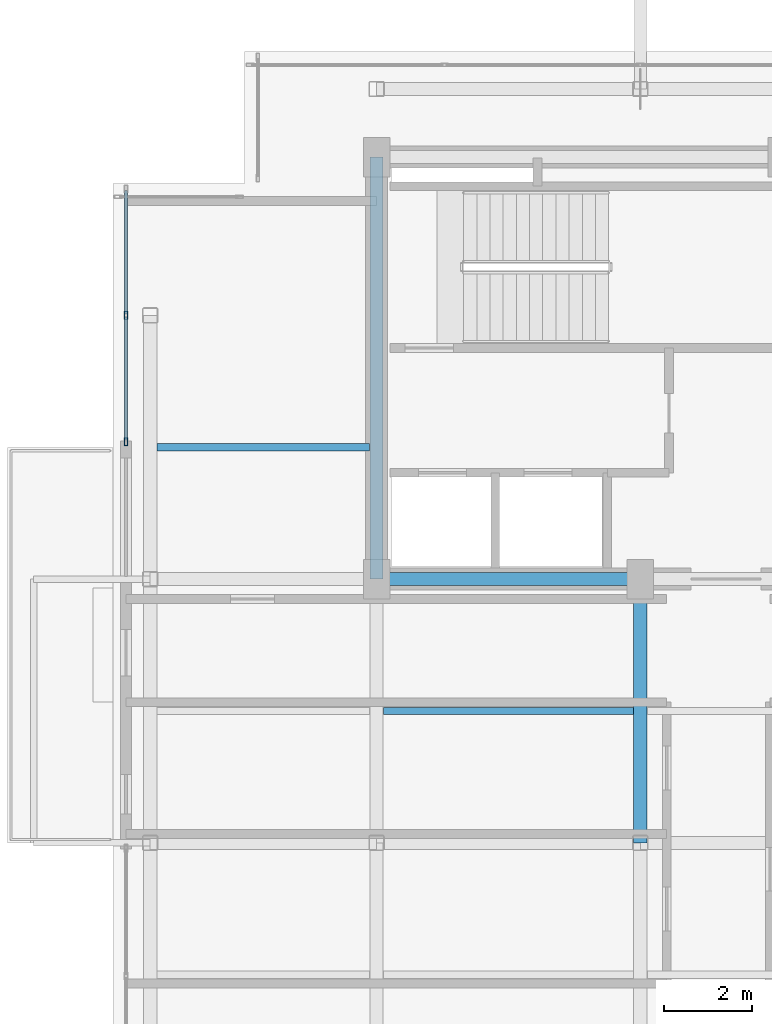
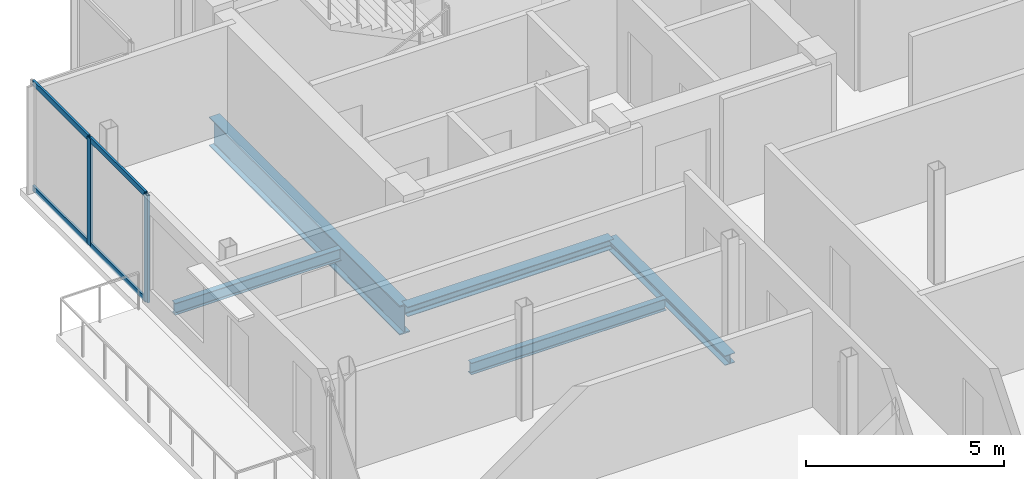
# One storey, part 7 of 18: 6 members, 5 beams, 1 element without a shape of its own.
"""IFC4 building model written with IfcOpenShell, lengths in metres."""

from ifc_helpers import new_model, si_unit, direction, frame, origin, origin_2d, place, context, subcontext, project, spatial, hollow_rectangle, i_section, extrude, material, layer, layer_set, material_profile, profile_set, type_object, element, aggregate, save


model = new_model("IFC4")

# Units and contexts
model_context = context("Model", 3, precision=1e-05, world=origin(), true_north=direction((0.0, 1.0)))
body_context = subcontext(model_context, "Body", "Model", "MODEL_VIEW")
ifc_project = project(units=[si_unit("LENGTHUNIT", "METRE"), si_unit("AREAUNIT", "SQUARE_METRE"), si_unit("VOLUMEUNIT", "CUBIC_METRE"), si_unit("PLANEANGLEUNIT", "RADIAN"), si_unit("MASSUNIT", "GRAM", prefix="KILO"), si_unit("THERMODYNAMICTEMPERATUREUNIT", "KELVIN"), si_unit("POWERUNIT", "WATT")], contexts=[model_context])

# Site, building, storey
site_placement = place(None, origin())
site = spatial("IfcSite", under=ifc_project, at=site_placement, CompositionType="ELEMENT")
building_placement = place(site_placement, origin())
building = spatial("IfcBuilding", under=site, at=building_placement, Name="Svarakhadi Broadcast Tower", CompositionType="ELEMENT")
storey_placement = place(building_placement, frame((0.0, 0.0, 281.699951171875)))
storey = spatial("IfcBuildingStorey", under=building, at=storey_placement, Name="L71", CompositionType="ELEMENT", Elevation=281.699951171875)

# Beams
ifc_material_1 = material(Name="Steel S355J2 (IS 2062 E350C)", Category="steel")
ifc_material_profile_1 = material_profile(ifc_material_1, i_section(OverallWidth=0.169921875, OverallDepth=0.360107421875, WebThickness=0.008056640625, FlangeThickness=0.0126953125, FilletRadius=0.01806640625, at=origin_2d()), Name="NPB 360x170x57")
ifc_profile_set_1 = profile_set([ifc_material_profile_1], Name="Steel S355J2 (IS 2062 E350C)")
beam_type_1 = type_object("IfcBeamType", Name="Beam_NPB360", PredefinedType="BEAM", material=ifc_profile_set_1)
beam_1_placement = place(storey_placement, frame((1.010009765625, 21.0, -0.3798828125), z_axis=(1.0, 0.0, 0.0), x_axis=(0.0, 1.0, 0.0)))
element("IfcBeam", 1, at=beam_1_placement, inside=storey, type_object=beam_type_1, Name="L71 Secondary Composite Beam SB003", PredefinedType="BEAM", context=body_context, shape_type="SweptSolid", body=[
    extrude(i_section(OverallWidth=0.169921875, OverallDepth=0.360107421875, WebThickness=0.008056640625, FlangeThickness=0.0126953125, FilletRadius=0.01806640625, at=origin_2d()), origin(), (0.0, 0.0, 1.0), 4.830078125),
])
beam_2_placement = place(storey_placement, frame((6.159912109375, 15.0, -0.3798828125), z_axis=(1.0, 0.0, 0.0), x_axis=(0.0, 1.0, 0.0)))
element("IfcBeam", 2, at=beam_2_placement, inside=storey, type_object=beam_type_1, Name="L71 Secondary Composite Beam SB006", PredefinedType="BEAM", context=body_context, shape_type="SweptSolid", body=[
    extrude(i_section(OverallWidth=0.169921875, OverallDepth=0.360107421875, WebThickness=0.008056640625, FlangeThickness=0.0126953125, FilletRadius=0.01806640625, at=origin_2d()), origin(), (0.0, 0.0, 1.0), 5.68017578125),
])

# Curtain wall, members
ifc_material_2 = material(Name="Anodised Bronze Aluminium AA 6063-T6", Category="aluminium")
ifc_layer = layer(ifc_material_2, 0.179931640625)
ifc_layer_set = layer_set([ifc_layer], Name="Anodised Bronze Aluminium AA 6063-T6")
curtain_wall_type = type_object("IfcCurtainWallType", Name="CW_Sys_05", PredefinedType="NOTDEFINED", material=ifc_layer_set)
curtain_wall_placement = place(storey_placement, origin())
curtain_wall = element("IfcCurtainWall", 3, at=curtain_wall_placement, inside=storey, type_object=curtain_wall_type, Name="L71 West Curtain Wall 03", PredefinedType="NOTDEFINED")
ifc_material_profile_2 = material_profile(ifc_material_2, hollow_rectangle(XDim=0.070068359375, YDim=0.179931640625, WallThickness=0.005615234375, at=origin_2d()), Name="ALU MULLION 180x70x6")
ifc_profile_set_2 = profile_set([ifc_material_profile_2], Name="Anodised Bronze Aluminium AA 6063-T6")
member_type_1 = type_object("IfcMemberType", Name="CW_Sys_05_Mul", PredefinedType="MULLION", material=ifc_profile_set_2)
member_1_placement = place(storey_placement, frame((0.300048828125, 21.125, 0.0), z_axis=(0.0, 0.0, 1.0), x_axis=(-1.0, 0.0, 0.0)))
member_1 = element("IfcMember", 4, at=member_1_placement, type_object=member_type_1, Name="CW-05 mullion 1", PredefinedType="MULLION", context=body_context, shape_type="SweptSolid", body=[
    extrude(hollow_rectangle(XDim=0.070068359375, YDim=0.179931640625, WallThickness=0.005615234375, at=origin_2d()), origin(), (0.0, 0.0, 1.0), 3.300048828125),
])
member_2_placement = place(storey_placement, frame((0.300048828125, 24.0, 0.0), z_axis=(0.0, 0.0, 1.0), x_axis=(-1.0, 0.0, 0.0)))
member_2 = element("IfcMember", 5, at=member_2_placement, type_object=member_type_1, Name="CW-05 mullion 2", PredefinedType="MULLION", context=body_context, shape_type="SweptSolid", body=[
    extrude(hollow_rectangle(XDim=0.070068359375, YDim=0.179931640625, WallThickness=0.005615234375, at=origin_2d()), origin(), (0.0, 0.0, 1.0), 3.300048828125),
])
ifc_material_profile_3 = material_profile(ifc_material_2, hollow_rectangle(XDim=0.06494140625, YDim=0.1650390625, WallThickness=0.0048828125, at=origin_2d()), Name="ALU TRANSOM 165x65x5")
ifc_profile_set_3 = profile_set([ifc_material_profile_3], Name="Anodised Bronze Aluminium AA 6063-T6")
member_type_2 = type_object("IfcMemberType", Name="CW_Sys_05_Trn", PredefinedType="USERDEFINED", material=ifc_profile_set_3)
member_3_placement = place(storey_placement, frame((0.300048828125, 21.159912109375, 0.032470703125), z_axis=(0.0, 1.0, 0.0), x_axis=(-1.0, 0.0, 0.0)))
member_3 = element("IfcMember", 6, at=member_3_placement, type_object=member_type_2, Name="CW-05 transom 1.1", ObjectType="TRANSOM", PredefinedType="USERDEFINED", context=body_context, shape_type="SweptSolid", body=[
    extrude(hollow_rectangle(XDim=0.06494140625, YDim=0.1650390625, WallThickness=0.0048828125, at=origin_2d()), origin(), (0.0, 0.0, 1.0), 2.80517578125),
])
member_4_placement = place(storey_placement, frame((0.300048828125, 21.159912109375, 3.267578125), z_axis=(0.0, 1.0, 0.0), x_axis=(-1.0, 0.0, 0.0)))
member_4 = element("IfcMember", 7, at=member_4_placement, type_object=member_type_2, Name="CW-05 transom 1.2", ObjectType="TRANSOM", PredefinedType="USERDEFINED", context=body_context, shape_type="SweptSolid", body=[
    extrude(hollow_rectangle(XDim=0.06494140625, YDim=0.1650390625, WallThickness=0.0048828125, at=origin_2d()), origin(), (0.0, 0.0, 1.0), 2.80517578125),
])
member_5_placement = place(storey_placement, frame((0.300048828125, 24.034912109375, 0.032470703125), z_axis=(0.0, 1.0, 0.0), x_axis=(-1.0, 0.0, 0.0)))
member_5 = element("IfcMember", 8, at=member_5_placement, type_object=member_type_2, Name="CW-05 transom 2.1", ObjectType="TRANSOM", PredefinedType="USERDEFINED", context=body_context, shape_type="SweptSolid", body=[
    extrude(hollow_rectangle(XDim=0.06494140625, YDim=0.1650390625, WallThickness=0.0048828125, at=origin_2d()), origin(), (0.0, 0.0, 1.0), 2.80517578125),
])
member_6_placement = place(storey_placement, frame((0.300048828125, 24.034912109375, 3.267578125), z_axis=(0.0, 1.0, 0.0), x_axis=(-1.0, 0.0, 0.0)))
member_6 = element("IfcMember", 9, at=member_6_placement, type_object=member_type_2, Name="CW-05 transom 2.2", ObjectType="TRANSOM", PredefinedType="USERDEFINED", context=body_context, shape_type="SweptSolid", body=[
    extrude(hollow_rectangle(XDim=0.06494140625, YDim=0.1650390625, WallThickness=0.0048828125, at=origin_2d()), origin(), (0.0, 0.0, 1.0), 2.80517578125),
])
aggregate(curtain_wall, [member_1, member_2, member_3, member_4, member_5, member_6])

# Beams
ifc_material_profile_4 = material_profile(ifc_material_1, i_section(OverallWidth=0.300048828125, OverallDepth=0.300048828125, WebThickness=0.010986328125, FlangeThickness=0.01904296875, FilletRadius=0.027099609375, at=origin_2d()), Name="WPB 300x300x117")
ifc_profile_set_4 = profile_set([ifc_material_profile_4], Name="Steel S355J2 (IS 2062 E350C)")
beam_type_2 = type_object("IfcBeamType", Name="Girder_WPB300", PredefinedType="USERDEFINED", material=ifc_profile_set_4)
for number, where, z_axis, x_axis, name in (
    (10, (6.0, 18.0, -0.349853515625), (1.0, 0.0, 0.0), (0.0, 1.0, 0.0), "L71 Primary E-W Girder G018"),
    (11, (12.0, 12.0, -0.349853515625), (0.0, 1.0, 0.0), (-1.0, 0.0, 0.0), "L71 Primary N-S Girder G035"),
):
    element("IfcBeam", number, at=place(storey_placement, frame(where, z_axis=z_axis, x_axis=x_axis)), inside=storey, type_object=beam_type_2, Name=name, ObjectType="GIRDER", PredefinedType="USERDEFINED", context=body_context, shape_type="SweptSolid", body=[
        extrude(i_section(OverallWidth=0.300048828125, OverallDepth=0.300048828125, WebThickness=0.010986328125, FlangeThickness=0.01904296875, FilletRadius=0.027099609375, at=origin_2d()), origin(), (0.0, 0.0, 1.0), 6.0),
    ])
ifc_material_3 = material(Name="Steel S460ML (IS 2062 E450BR)", Category="steel")
ifc_material_profile_5 = material_profile(ifc_material_3, i_section(OverallWidth=0.300048828125, OverallDepth=0.89990234375, WebThickness=0.0185546875, FlangeThickness=0.034912109375, FilletRadius=0.030029296875, at=origin_2d()), Name="WPB 900x300x291")
ifc_profile_set_5 = profile_set([ifc_material_profile_5], Name="Steel S460ML (IS 2062 E450BR)")
beam_type_3 = type_object("IfcBeamType", Name="Girder_WPB900", PredefinedType="USERDEFINED", material=ifc_profile_set_5)
beam_3_placement = place(storey_placement, frame((6.0, 18.0, -0.64990234375), z_axis=(0.0, 1.0, 0.0), x_axis=(-1.0, 0.0, 0.0)))
element("IfcBeam", 12, at=beam_3_placement, inside=storey, type_object=beam_type_3, Name="L71 Primary N-S Girder G032", ObjectType="GIRDER", PredefinedType="USERDEFINED", context=body_context, shape_type="SweptSolid", body=[
    extrude(i_section(OverallWidth=0.300048828125, OverallDepth=0.89990234375, WebThickness=0.0185546875, FlangeThickness=0.034912109375, FilletRadius=0.030029296875, at=origin_2d()), origin(), (0.0, 0.0, 1.0), 9.60009765625),
])

save(model, "model.ifc")
